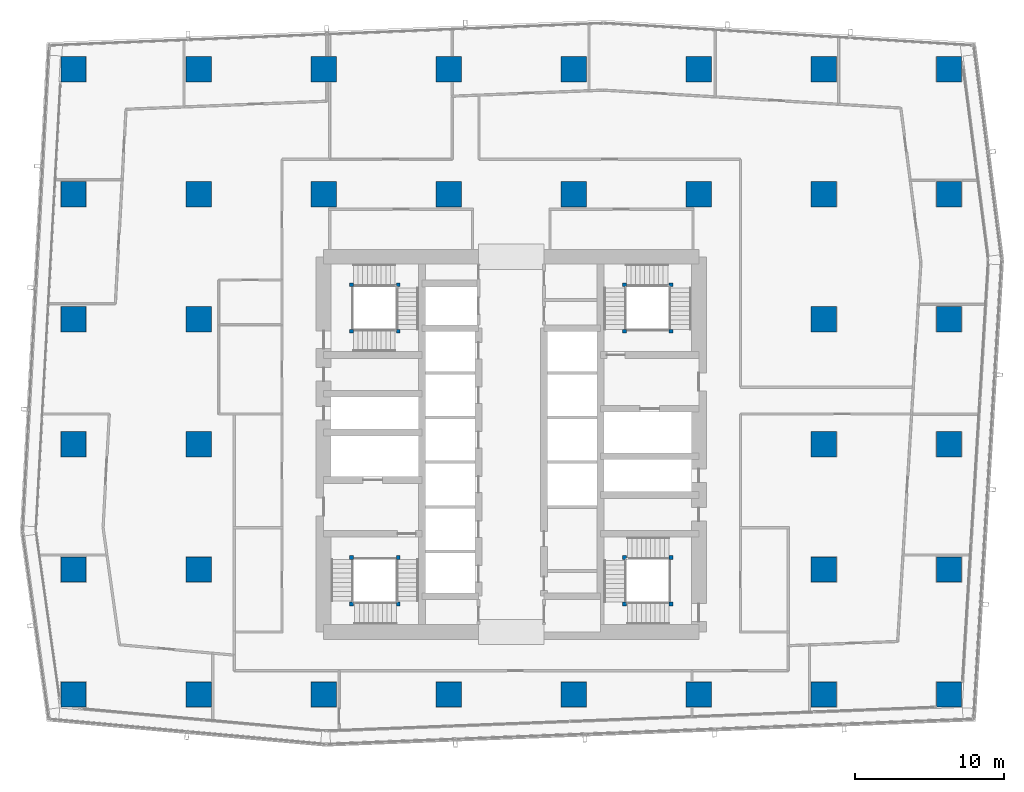
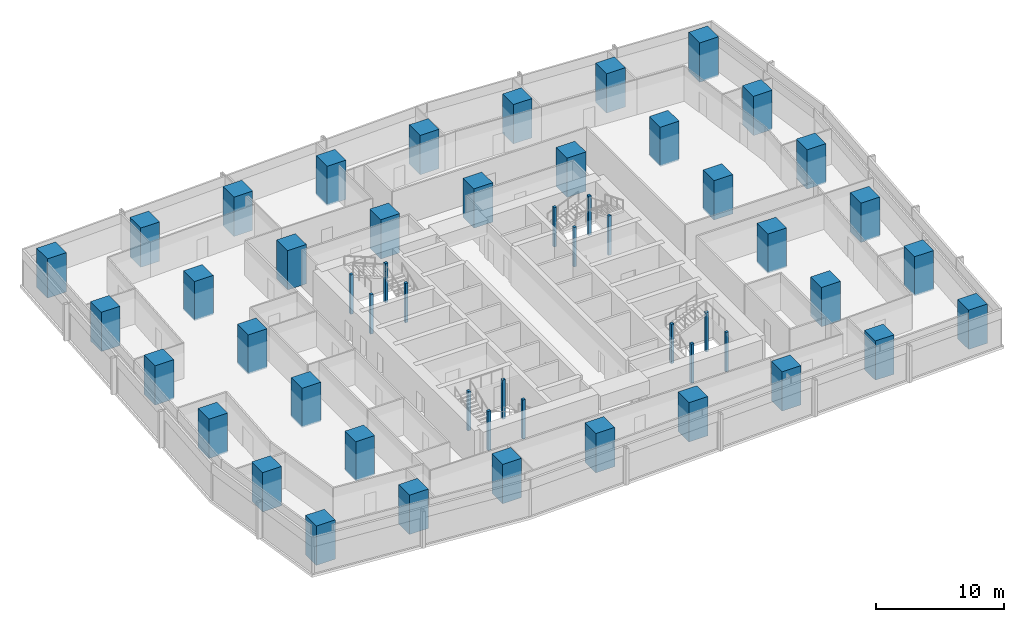
# One storey, part 1 of 40: 52 columns.
"""IFC4 building model written with IfcOpenShell, lengths in metres."""

from ifc_helpers import new_model, si_unit, direction, frame, origin, origin_2d, place, context, subcontext, project, spatial, rectangle, extrude, material, material_profile, profile_set, type_object, element, save


model = new_model("IFC4")

# Units and contexts
model_context = context("Model", 3, precision=1e-05, world=origin(), true_north=direction((0.0, 1.0)))
body_context = subcontext(model_context, "Body", "Model", "MODEL_VIEW")
ifc_project = project(units=[si_unit("LENGTHUNIT", "METRE"), si_unit("AREAUNIT", "SQUARE_METRE"), si_unit("VOLUMEUNIT", "CUBIC_METRE"), si_unit("PLANEANGLEUNIT", "RADIAN"), si_unit("MASSUNIT", "GRAM", prefix="KILO")], contexts=[model_context])

# Site, building, storey
site_placement = place(None, origin())
site = spatial("IfcSite", under=ifc_project, at=site_placement, CompositionType="ELEMENT")
building_placement = place(site_placement, origin())
building = spatial("IfcBuilding", under=site, at=building_placement, Name="Rekha Terrace Tower", CompositionType="ELEMENT")
storey_placement = place(building_placement, frame((0.0, 0.0, 106.550048828125)))
storey = spatial("IfcBuildingStorey", under=building, at=storey_placement, Name="L26", CompositionType="ELEMENT", Elevation=106.550048828125)

# Columns
ifc_material_1 = material(Name="Concrete M70", Category="concrete")
ifc_material_profile_1 = material_profile(ifc_material_1, rectangle(XDim=1.699951171875, YDim=1.699951171875, at=origin_2d()), Name="RC 1700x1700")
ifc_profile_set_1 = profile_set([ifc_material_profile_1], Name="Concrete M70")
column_type_1 = type_object("IfcColumnType", Name="C3 1700x1700 column", PredefinedType="COLUMN", material=ifc_profile_set_1)
for number, where, z_axis, x_axis, name in (
    (1, (8.39990234375, 16.800048828125, 0.0), (0.0, 0.0, 1.0), (1.0, 0.0, 0.0), "Column C3 2/C L26"),
    (2, (8.39990234375, 25.199951171875, 0.0), (0.0, 0.0, 1.0), (1.0, 0.0, 0.0), "Column C3 2/D L26"),
    (3, (8.39990234375, 33.60009765625, 0.0), (0.0, 0.0, 1.0), (1.0, 0.0, 0.0), "Column C3 2/E L26"),
    (4, (8.39990234375, 42.0, 0.0), (0.0, 0.0, 1.0), (1.0, 0.0, 0.0), "Column C3 2/F L26"),
    (5, (8.39990234375, 50.39990234375, 0.0), (0.0, 0.0, 1.0), (1.0, 0.0, 0.0), "Column C3 2/G L26"),
    (6, (8.39990234375, 58.800048828125, 0.0), (0.0, 0.0, 1.0), (1.0, 0.0, 0.0), "Column C3 2/H L26"),
    (7, (16.800048828125, 16.800048828125, 0.0), (0.0, 0.0, 1.0), (1.0, 0.0, 0.0), "Column C3 3/C L26"),
    (8, (16.800048828125, 25.199951171875, 0.0), (0.0, 0.0, 1.0), (1.0, 0.0, 0.0), "Column C3 3/D L26"),
    (9, (16.800048828125, 33.60009765625, 0.0), (0.0, 0.0, 1.0), (1.0, 0.0, 0.0), "Column C3 3/E L26"),
    (10, (16.800048828125, 42.0, 0.0), (0.0, 0.0, 1.0), (1.0, 0.0, 0.0), "Column C3 3/F L26"),
    (11, (16.800048828125, 50.39990234375, 0.0), (0.0, 0.0, 1.0), (1.0, 0.0, 0.0), "Column C3 3/G L26"),
    (12, (16.800048828125, 58.800048828125, 0.0), (0.0, 0.0, 1.0), (1.0, 0.0, 0.0), "Column C3 3/H L26"),
    (13, (25.199951171875, 16.800048828125, 0.0), (0.0, 0.0, 1.0), (1.0, 0.0, 0.0), "Column C3 4/C L26"),
    (14, (25.199951171875, 50.39990234375, 0.0), (0.0, 0.0, 1.0), (1.0, 0.0, 0.0), "Column C3 4/G L26"),
    (15, (25.199951171875, 58.800048828125, 0.0), (0.0, 0.0, 1.0), (1.0, 0.0, 0.0), "Column C3 4/H L26"),
    (16, (33.60009765625, 16.800048828125, 0.0), (0.0, 0.0, 1.0), (1.0, 0.0, 0.0), "Column C3 5/C L26"),
    (17, (33.60009765625, 50.39990234375, 0.0), (0.0, 0.0, 1.0), (1.0, 0.0, 0.0), "Column C3 5/G L26"),
    (18, (33.60009765625, 58.800048828125, 0.0), (0.0, 0.0, 1.0), (1.0, 0.0, 0.0), "Column C3 5/H L26"),
    (19, (42.0, 16.800048828125, 0.0), (0.0, 0.0, 1.0), (1.0, 0.0, 0.0), "Column C3 6/C L26"),
    (20, (42.0, 50.39990234375, 0.0), (0.0, 0.0, 1.0), (1.0, 0.0, 0.0), "Column C3 6/G L26"),
    (21, (42.0, 58.800048828125, 0.0), (0.0, 0.0, 1.0), (1.0, 0.0, 0.0), "Column C3 6/H L26"),
    (22, (50.39990234375, 16.800048828125, 0.0), (0.0, 0.0, 1.0), (1.0, 0.0, 0.0), "Column C3 7/C L26"),
    (23, (50.39990234375, 50.39990234375, 0.0), (0.0, 0.0, 1.0), (1.0, 0.0, 0.0), "Column C3 7/G L26"),
    (24, (50.39990234375, 58.800048828125, 0.0), (0.0, 0.0, 1.0), (1.0, 0.0, 0.0), "Column C3 7/H L26"),
    (25, (58.800048828125, 16.800048828125, 0.0), (0.0, 0.0, 1.0), (1.0, 0.0, 0.0), "Column C3 8/C L26"),
    (26, (58.800048828125, 25.199951171875, 0.0), (0.0, 0.0, 1.0), (1.0, 0.0, 0.0), "Column C3 8/D L26"),
    (27, (58.800048828125, 33.60009765625, 0.0), (0.0, 0.0, 1.0), (1.0, 0.0, 0.0), "Column C3 8/E L26"),
    (28, (58.800048828125, 42.0, 0.0), (0.0, 0.0, 1.0), (1.0, 0.0, 0.0), "Column C3 8/F L26"),
    (29, (58.800048828125, 50.39990234375, 0.0), (0.0, 0.0, 1.0), (1.0, 0.0, 0.0), "Column C3 8/G L26"),
    (30, (58.800048828125, 58.800048828125, 0.0), (0.0, 0.0, 1.0), (1.0, 0.0, 0.0), "Column C3 8/H L26"),
    (31, (67.199951171875, 16.800048828125, 0.0), (0.0, 0.0, 1.0), (1.0, 0.0, 0.0), "Column C3 9/C L26"),
    (32, (67.199951171875, 25.199951171875, 0.0), (0.0, 0.0, 1.0), (1.0, 0.0, 0.0), "Column C3 9/D L26"),
    (33, (67.199951171875, 33.60009765625, 0.0), (0.0, 0.0, 1.0), (1.0, 0.0, 0.0), "Column C3 9/E L26"),
    (34, (67.199951171875, 42.0, 0.0), (0.0, 0.0, 1.0), (1.0, 0.0, 0.0), "Column C3 9/F L26"),
    (35, (67.199951171875, 50.39990234375, 0.0), (0.0, 0.0, 1.0), (1.0, 0.0, 0.0), "Column C3 9/G L26"),
    (36, (67.199951171875, 58.800048828125, 0.0), (0.0, 0.0, 1.0), (1.0, 0.0, 0.0), "Column C3 9/H L26"),
):
    element("IfcColumn", number, at=place(storey_placement, frame(where, z_axis=z_axis, x_axis=x_axis)), inside=storey, type_object=column_type_1, Name=name, PredefinedType="COLUMN", context=body_context, shape_type="SweptSolid", body=[
        extrude(rectangle(XDim=1.699951171875, YDim=1.699951171875, at=origin_2d()), origin(), (0.0, 0.0, 1.0), 3.75),
    ])
ifc_material_2 = material(Name="Concrete M60", Category="concrete")
ifc_material_profile_2 = material_profile(ifc_material_2, rectangle(XDim=0.25, YDim=0.25, at=origin_2d()), Name="RC 250x250")
ifc_profile_set_2 = profile_set([ifc_material_profile_2], Name="Concrete M60")
column_type_2 = type_object("IfcColumnType", Name="NP1 250x250 stair newel post", PredefinedType="COLUMN", material=ifc_profile_set_2)
for number, where, z_axis, x_axis, name in (
    (37, (30.199951171875, 26.0, 0.0), (0.0, 0.0, 1.0), (1.0, 0.0, 0.0), "Stair newel post NP1"),
    (38, (30.199951171875, 22.875, 0.0), (0.0, 0.0, 1.0), (1.0, 0.0, 0.0), "Stair newel post NP1"),
    (39, (27.074951171875, 22.875, 0.0), (0.0, 0.0, 1.0), (1.0, 0.0, 0.0), "Stair newel post NP1"),
    (40, (27.074951171875, 26.0, 0.0), (0.0, 0.0, 1.0), (1.0, 0.0, 0.0), "Stair newel post NP1"),
    (41, (45.39990234375, 41.199951171875, 0.0), (0.0, 0.0, 1.0), (1.0, 0.0, 0.0), "Stair newel post NP1"),
    (42, (45.39990234375, 44.324951171875, 0.0), (0.0, 0.0, 1.0), (1.0, 0.0, 0.0), "Stair newel post NP1"),
    (43, (48.52490234375, 44.324951171875, 0.0), (0.0, 0.0, 1.0), (1.0, 0.0, 0.0), "Stair newel post NP1"),
    (44, (48.52490234375, 41.199951171875, 0.0), (0.0, 0.0, 1.0), (1.0, 0.0, 0.0), "Stair newel post NP1"),
    (45, (48.52490234375, 22.875, 0.0), (0.0, 0.0, 1.0), (1.0, 0.0, 0.0), "Stair newel post NP1"),
    (46, (45.39990234375, 22.875, 0.0), (0.0, 0.0, 1.0), (1.0, 0.0, 0.0), "Stair newel post NP1"),
    (47, (45.39990234375, 26.0, 0.0), (0.0, 0.0, 1.0), (1.0, 0.0, 0.0), "Stair newel post NP1"),
    (48, (48.52490234375, 26.0, 0.0), (0.0, 0.0, 1.0), (1.0, 0.0, 0.0), "Stair newel post NP1"),
    (49, (27.074951171875, 41.199951171875, 0.0), (0.0, 0.0, 1.0), (1.0, 0.0, 0.0), "Stair newel post NP1"),
    (50, (30.199951171875, 41.199951171875, 0.0), (0.0, 0.0, 1.0), (1.0, 0.0, 0.0), "Stair newel post NP1"),
    (51, (30.199951171875, 44.324951171875, 0.0), (0.0, 0.0, 1.0), (1.0, 0.0, 0.0), "Stair newel post NP1"),
    (52, (27.074951171875, 44.324951171875, 0.0), (0.0, 0.0, 1.0), (1.0, 0.0, 0.0), "Stair newel post NP1"),
):
    element("IfcColumn", number, at=place(storey_placement, frame(where, z_axis=z_axis, x_axis=x_axis)), inside=storey, type_object=column_type_2, Name=name, PredefinedType="COLUMN", context=body_context, shape_type="SweptSolid", body=[
        extrude(rectangle(XDim=0.25, YDim=0.25, at=origin_2d()), origin(), (0.0, 0.0, 1.0), 3.75),
    ])

save(model, "model.ifc")
